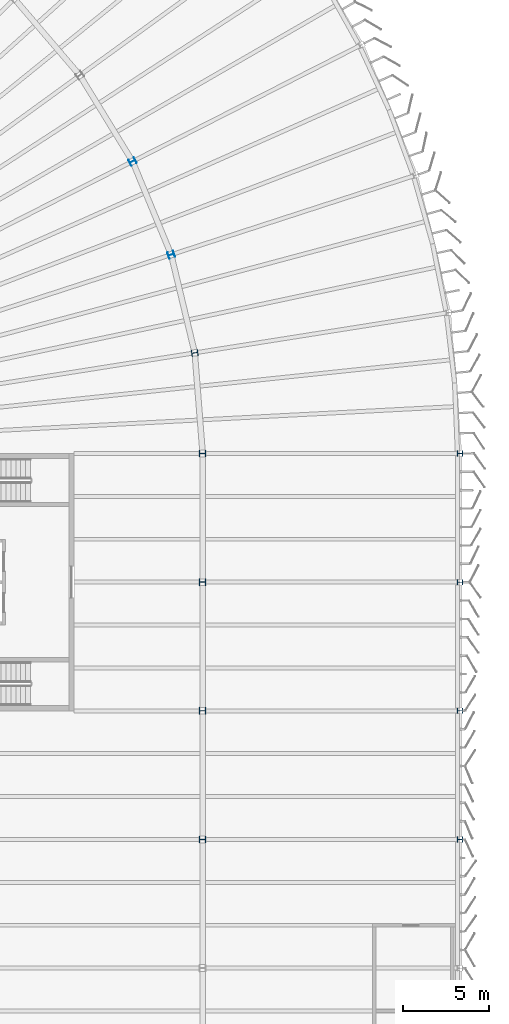
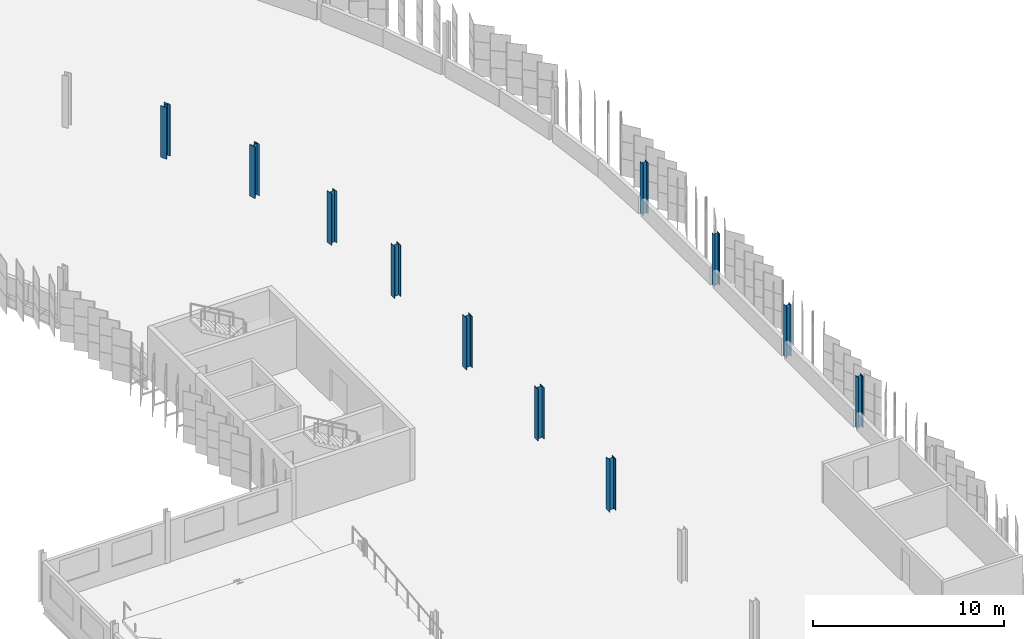
# One storey, part 29 of 214: 11 columns.
"""IFC4 building model written with IfcOpenShell, lengths in metres."""

from ifc_helpers import new_model, si_unit, direction, frame, origin, origin_2d, place, context, subcontext, project, spatial, i_section, extrude, material, material_profile, profile_set, type_object, element, save


model = new_model("IFC4")

# Units and contexts
model_context = context("Model", 3, precision=1e-05, world=origin(), true_north=direction((0.0, 1.0)))
body_context = subcontext(model_context, "Body", "Model", "MODEL_VIEW")
ifc_project = project(units=[si_unit("LENGTHUNIT", "METRE"), si_unit("AREAUNIT", "SQUARE_METRE"), si_unit("VOLUMEUNIT", "CUBIC_METRE"), si_unit("PLANEANGLEUNIT", "RADIAN"), si_unit("MASSUNIT", "GRAM", prefix="KILO")], contexts=[model_context])

# Site, building, storey
site_placement = place(None, origin())
site = spatial("IfcSite", under=ifc_project, at=site_placement, CompositionType="ELEMENT")
building_placement = place(site_placement, origin())
building = spatial("IfcBuilding", under=site, at=building_placement, Name="Parallax Yard Mobility Hub", CompositionType="ELEMENT")
storey_placement = place(building_placement, frame((0.0, 0.0, 3.300048828125)))
storey = spatial("IfcBuildingStorey", under=building, at=storey_placement, Name="L01", CompositionType="ELEMENT", Elevation=3.300048828125)

# Columns
ifc_material = material(Name="Steel ASTM A992", Category="steel")
ifc_material_profile_1 = material_profile(ifc_material, i_section(OverallWidth=0.304931640625, OverallDepth=0.31201171875, WebThickness=0.010986328125, FlangeThickness=0.01708984375, FilletRadius=0.015380859375, at=origin_2d()), Name="W310x107")
ifc_profile_set_1 = profile_set([ifc_material_profile_1], Name="Steel ASTM A992")
column_type_1 = type_object("IfcColumnType", Name="W310x107 column", PredefinedType="COLUMN", material=ifc_profile_set_1)
for number, where, z_axis, x_axis, name in (
    (1, (225.0, 90.0, 0.0), (0.0, 0.0, 1.0), (0.0, 1.0, 0.0), "Column C2 level L01 at N/31 of ramped parking decks"),
    (2, (225.0, 82.5, 0.0), (0.0, 0.0, 1.0), (0.0, 1.0, 0.0), "Column C2 level L01 at M/31 of ramped parking decks"),
    (3, (225.0, 75.0, 0.0), (0.0, 0.0, 1.0), (0.0, 1.0, 0.0), "Column C2 level L01 at L/31 of ramped parking decks"),
    (4, (225.0, 67.5, 0.0), (0.0, 0.0, 1.0), (0.0, 1.0, 0.0), "Column C2 level L01 at K/31 of ramped parking decks"),
):
    element("IfcColumn", number, at=place(storey_placement, frame(where, z_axis=z_axis, x_axis=x_axis)), inside=storey, type_object=column_type_1, Name=name, PredefinedType="COLUMN", context=body_context, shape_type="SweptSolid", body=[
        extrude(i_section(OverallWidth=0.304931640625, OverallDepth=0.31201171875, WebThickness=0.010986328125, FlangeThickness=0.01708984375, FilletRadius=0.015380859375, at=origin_2d()), origin(), (0.0, 0.0, 1.0), 3.300048828125),
    ])
ifc_material_profile_2 = material_profile(ifc_material, i_section(OverallWidth=0.373046875, OverallDepth=0.367919921875, WebThickness=0.014892578125, FlangeThickness=0.02392578125, FilletRadius=0.01513671875, at=origin_2d()), Name="W360x179")
ifc_profile_set_2 = profile_set([ifc_material_profile_2], Name="Steel ASTM A992")
column_type_2 = type_object("IfcColumnType", Name="W360x179 column", PredefinedType="COLUMN", material=ifc_profile_set_2)
for number, where, z_axis, x_axis, name in (
    (5, (205.91259765625, 107.024658203125, 0.0), (0.0, 0.0, 1.0), (-0.45399049974, 0.891006524188, 0.0), "Column C7 level L01 at RB/R7 of ramped parking decks"),
    (6, (208.16455078125, 101.588134765625, 0.0), (0.0, 0.0, 1.0), (-0.309016994375, 0.951056516295, 0.0), "Column C7 level L01 at RB/R8 of ramped parking decks"),
    (7, (209.538330078125, 95.8662109375, 0.0), (0.0, 0.0, 1.0), (-0.15643446504, 0.987688340595, 0.0), "Column C7 level L01 at RB/R9 of ramped parking decks"),
):
    element("IfcColumn", number, at=place(storey_placement, frame(where, z_axis=z_axis, x_axis=x_axis)), inside=storey, type_object=column_type_2, Name=name, PredefinedType="COLUMN", context=body_context, shape_type="SweptSolid", body=[
        extrude(i_section(OverallWidth=0.373046875, OverallDepth=0.367919921875, WebThickness=0.014892578125, FlangeThickness=0.02392578125, FilletRadius=0.01513671875, at=origin_2d()), origin(), (0.0, 0.0, 1.0), 3.300048828125),
    ])
ifc_material_profile_3 = material_profile(ifc_material, i_section(OverallWidth=0.39404296875, OverallDepth=0.3759765625, WebThickness=0.017333984375, FlangeThickness=0.027587890625, FilletRadius=0.01513671875, at=origin_2d()), Name="W360x216")
ifc_profile_set_3 = profile_set([ifc_material_profile_3], Name="Steel ASTM A992")
column_type_3 = type_object("IfcColumnType", Name="W360x216 column", PredefinedType="COLUMN", material=ifc_profile_set_3)
for number, where, z_axis, x_axis, name in (
    (8, (210.0, 90.0, 0.0), (0.0, 0.0, 1.0), (0.0, 1.0, 0.0), "Column C9 level L01 at N/29 of ramped parking decks"),
    (9, (210.0, 67.5, 0.0), (0.0, 0.0, 1.0), (0.0, 1.0, 0.0), "Column C9 level L01 at K/29 of ramped parking decks"),
):
    element("IfcColumn", number, at=place(storey_placement, frame(where, z_axis=z_axis, x_axis=x_axis)), inside=storey, type_object=column_type_3, Name=name, PredefinedType="COLUMN", context=body_context, shape_type="SweptSolid", body=[
        extrude(i_section(OverallWidth=0.39404296875, OverallDepth=0.3759765625, WebThickness=0.017333984375, FlangeThickness=0.027587890625, FilletRadius=0.01513671875, at=origin_2d()), origin(), (0.0, 0.0, 1.0), 3.300048828125),
    ])
ifc_material_profile_4 = material_profile(ifc_material, i_section(OverallWidth=0.39599609375, OverallDepth=0.381103515625, WebThickness=0.018798828125, FlangeThickness=0.0302734375, FilletRadius=0.015380859375, at=origin_2d()), Name="W360x237")
ifc_profile_set_4 = profile_set([ifc_material_profile_4], Name="Steel ASTM A992")
column_type_4 = type_object("IfcColumnType", Name="W360x237 column", PredefinedType="COLUMN", material=ifc_profile_set_4)
for number, where, z_axis, x_axis, name in (
    (10, (210.0, 82.5, 0.0), (0.0, 0.0, 1.0), (0.0, 1.0, 0.0), "Column C10 level L01 at M/29 of ramped parking decks"),
    (11, (210.0, 75.0, 0.0), (0.0, 0.0, 1.0), (0.0, 1.0, 0.0), "Column C10 level L01 at L/29 of ramped parking decks"),
):
    element("IfcColumn", number, at=place(storey_placement, frame(where, z_axis=z_axis, x_axis=x_axis)), inside=storey, type_object=column_type_4, Name=name, PredefinedType="COLUMN", context=body_context, shape_type="SweptSolid", body=[
        extrude(i_section(OverallWidth=0.39599609375, OverallDepth=0.381103515625, WebThickness=0.018798828125, FlangeThickness=0.0302734375, FilletRadius=0.015380859375, at=origin_2d()), origin(), (0.0, 0.0, 1.0), 3.300048828125),
    ])

save(model, "model.ifc")
